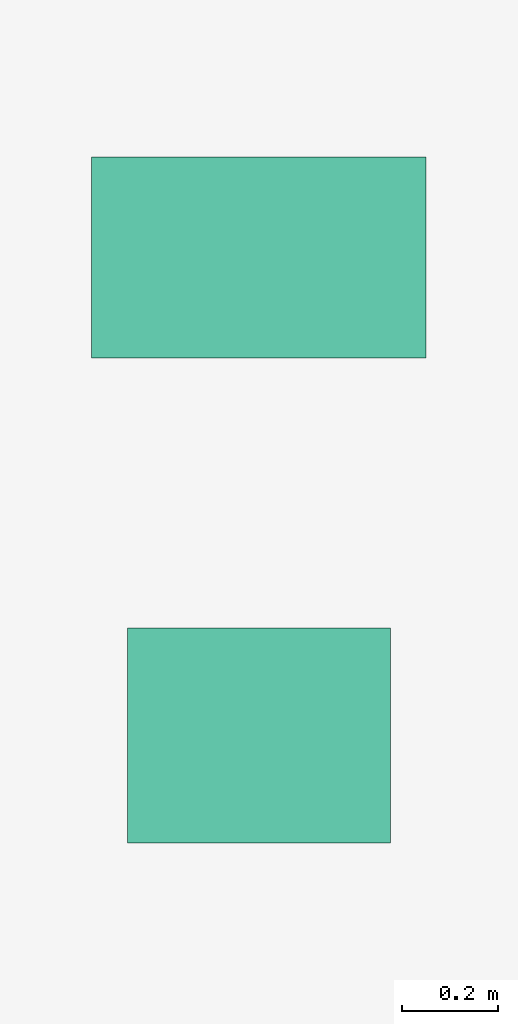
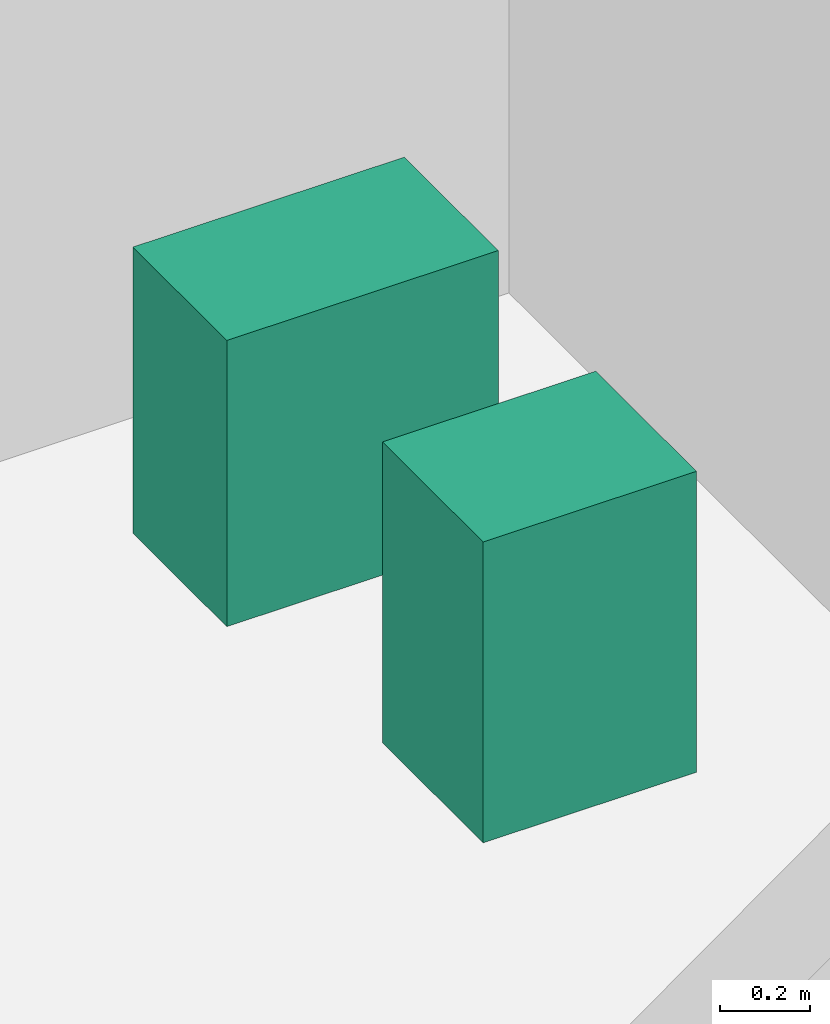
# One storey, part 26 of 26: 2 sanitary terminals.
"""IFC4 building model written with IfcOpenShell, lengths in metres."""

from ifc_helpers import new_model, si_unit, direction, frame, origin, origin_2d, place, context, subcontext, project, spatial, rectangle, extrude, source, transform, mapped, material, type_object, element, save


model = new_model("IFC4")

# Units and contexts
model_context = context("Model", 3, precision=1e-05, world=origin(), true_north=direction((0.0, 1.0)))
body_context = subcontext(model_context, "Body", "Model", "MODEL_VIEW")
ifc_project = project(units=[si_unit("LENGTHUNIT", "METRE"), si_unit("AREAUNIT", "SQUARE_METRE"), si_unit("VOLUMEUNIT", "CUBIC_METRE"), si_unit("PLANEANGLEUNIT", "RADIAN"), si_unit("MASSUNIT", "GRAM", prefix="KILO")], contexts=[model_context])

# Site, building, storey
site_placement = place(None, origin())
site = spatial("IfcSite", under=ifc_project, at=site_placement, CompositionType="ELEMENT")
building_placement = place(site_placement, origin())
building = spatial("IfcBuilding", under=site, at=building_placement, Name="Sumidabori Civic Tower", CompositionType="ELEMENT")
storey_placement = place(building_placement, frame((0.0, 0.0, 261.199951171875)))
storey = spatial("IfcBuildingStorey", under=building, at=storey_placement, Name="L68", CompositionType="ELEMENT", Elevation=261.199951171875)

# Sanitary terminals
ifc_material = material(Name="Vitreous Sanitary Porcelain")
sanitary_terminal_type_1 = type_object("IfcSanitaryTerminalType", Name="SN-WC-1", PredefinedType="TOILETPAN", material=ifc_material)
shared_shape_1 = source(origin(), body_context, "Body", "SweptSolid", [
    extrude(rectangle(XDim=0.699951171875, YDim=0.419921875, at=origin_2d()), origin(), (0.0, 0.0, 1.0), 0.780029296875),
])
sanitary_terminal_1_placement = place(storey_placement, frame((10.800048828125, 21.85009765625, 0.0), z_axis=(0.0, 0.0, 1.0), x_axis=(1.0, 0.0, 0.0)))
element("IfcSanitaryTerminal", 1, at=sanitary_terminal_1_placement, inside=storey, type_object=sanitary_terminal_type_1, Name="Accessible WC Pan L68", PredefinedType="TOILETPAN", context=body_context, shape_type="MappedRepresentation", body=[
    mapped(shared_shape_1, transform((0.0, 0.0, 0.0), x_axis=(1.0, 0.0, 0.0), y_axis=(0.0, 1.0, 0.0), z_axis=(0.0, 0.0, 1.0), scale=1.0)),
])
sanitary_terminal_type_2 = type_object("IfcSanitaryTerminalType", Name="SN-BAS-1", PredefinedType="WASHHANDBASIN", material=ifc_material)
shared_shape_2 = source(origin(), body_context, "Body", "SweptSolid", [
    extrude(rectangle(XDim=0.550048828125, YDim=0.449951171875, at=origin_2d()), origin(), (0.0, 0.0, 1.0), 0.820068359375),
])
sanitary_terminal_2_placement = place(storey_placement, frame((10.800048828125, 20.85009765625, 0.0), z_axis=(0.0, 0.0, 1.0), x_axis=(1.0, 0.0, 0.0)))
element("IfcSanitaryTerminal", 2, at=sanitary_terminal_2_placement, inside=storey, type_object=sanitary_terminal_type_2, Name="Accessible Basin L68", PredefinedType="WASHHANDBASIN", context=body_context, shape_type="MappedRepresentation", body=[
    mapped(shared_shape_2, transform((0.0, 0.0, 0.0), x_axis=(1.0, 0.0, 0.0), y_axis=(0.0, 1.0, 0.0), z_axis=(0.0, 0.0, 1.0), scale=1.0)),
])

save(model, "model.ifc")
